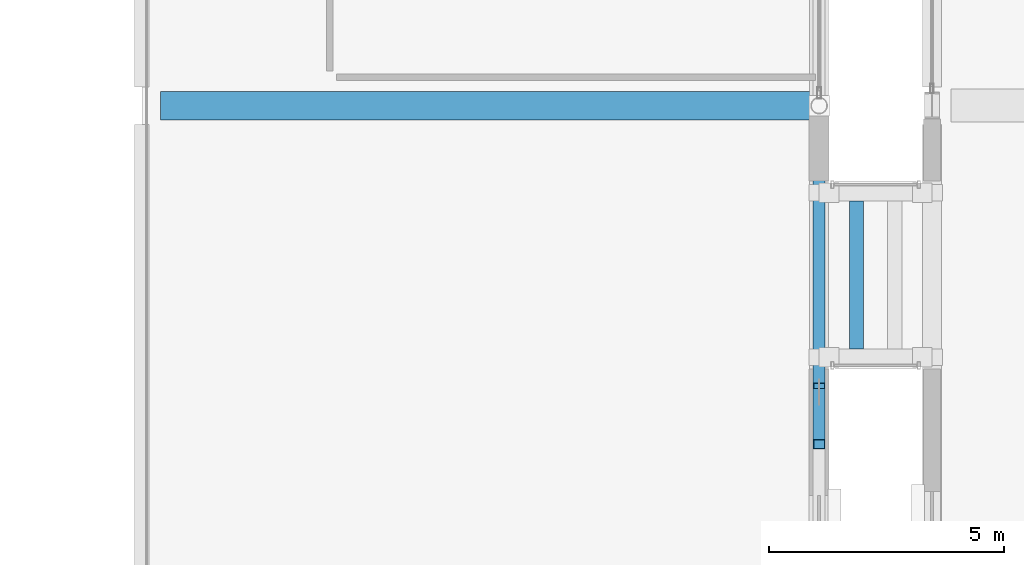
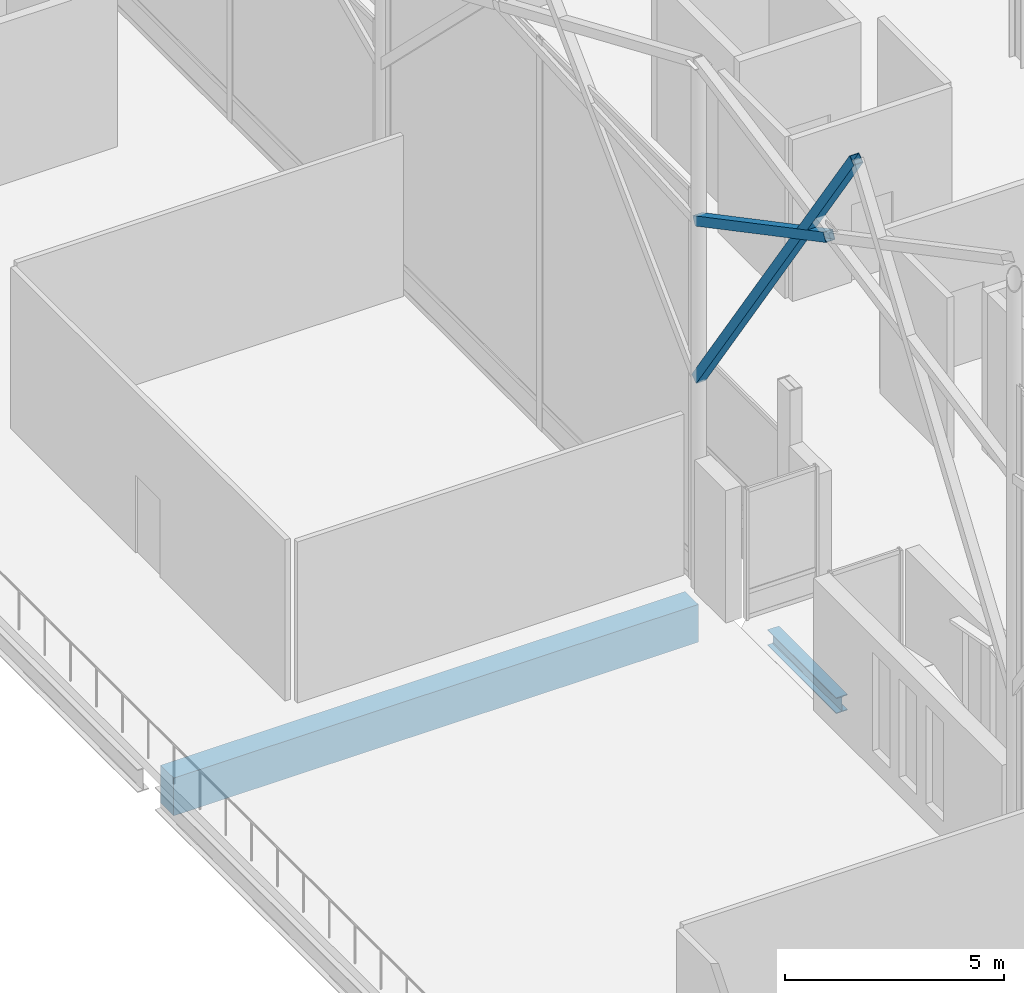
# One storey, part 74 of 220: 2 beams, 2 members.
"""IFC4 building model written with IfcOpenShell, lengths in metres."""

from ifc_helpers import new_model, si_unit, direction, frame, origin, origin_2d, place, context, subcontext, project, spatial, rectangle, hollow_rectangle, i_section, extrude, material, material_profile, profile_set, type_object, element, save


model = new_model("IFC4")

# Units and contexts
model_context = context("Model", 3, precision=1e-05, world=origin(), true_north=direction((0.0, 1.0)))
body_context = subcontext(model_context, "Body", "Model", "MODEL_VIEW")
ifc_project = project(units=[si_unit("LENGTHUNIT", "METRE"), si_unit("AREAUNIT", "SQUARE_METRE"), si_unit("VOLUMEUNIT", "CUBIC_METRE"), si_unit("PLANEANGLEUNIT", "RADIAN"), si_unit("MASSUNIT", "GRAM", prefix="KILO")], contexts=[model_context])

# Site, building, storey
site_placement = place(None, origin())
site = spatial("IfcSite", under=ifc_project, at=site_placement, CompositionType="ELEMENT")
building_placement = place(site_placement, origin())
building = spatial("IfcBuilding", under=site, at=building_placement, Name="Cendralis Lancet Convention Centre", CompositionType="ELEMENT")
storey_placement = place(building_placement, frame((0.0, 0.0, 5.39990234375)))
storey = spatial("IfcBuildingStorey", under=building, at=storey_placement, Name="L01", CompositionType="ELEMENT", Elevation=5.39990234375)

# Beams
ifc_material_1 = material(Name="Concrete G40 (C40/50)", Category="concrete")
ifc_material_profile_1 = material_profile(ifc_material_1, rectangle(XDim=0.60009765625, YDim=1.050048828125, at=origin_2d()), Name="RCB 600x1050")
ifc_profile_set_1 = profile_set([ifc_material_profile_1], Name="Concrete G40 (C40/50)")
beam_type_1 = type_object("IfcBeamType", Name="STR-BM-BG03", PredefinedType="BEAM", material=ifc_profile_set_1)
beam_1_placement = place(storey_placement, frame((108.39990234375, 108.0, -0.804931640625), z_axis=(1.0, 0.0, 0.0), x_axis=(0.0, 1.0, 0.0)))
element("IfcBeam", 1, at=beam_1_placement, inside=storey, type_object=beam_type_1, Name="L01 Beam BG03 #1298", PredefinedType="BEAM", context=body_context, shape_type="SweptSolid", body=[
    extrude(rectangle(XDim=0.60009765625, YDim=1.050048828125, at=origin_2d()), origin(), (0.0, 0.0, 1.0), 13.822265625),
])
ifc_material_2 = material(Name="Steel S355", Category="steel")
ifc_material_profile_2 = material_profile(ifc_material_2, i_section(OverallWidth=0.300048828125, OverallDepth=0.43994140625, WebThickness=0.011474609375, FlangeThickness=0.02099609375, FilletRadius=0.027099609375, at=origin_2d()), Name="HEA 450")
ifc_profile_set_2 = profile_set([ifc_material_profile_2], Name="Steel S355")
beam_type_2 = type_object("IfcBeamType", Name="STR-BM-SG13", PredefinedType="BEAM", material=ifc_profile_set_2)
beam_2_placement = place(storey_placement, frame((123.19189453125, 102.830078125, -0.43994140625), z_axis=(0.0, 1.0, 0.0), x_axis=(-1.0, 0.0, 0.0)))
element("IfcBeam", 2, at=beam_2_placement, inside=storey, type_object=beam_type_2, Name="L01 Beam SG13 #1878", PredefinedType="BEAM", context=body_context, shape_type="SweptSolid", body=[
    extrude(i_section(OverallWidth=0.300048828125, OverallDepth=0.43994140625, WebThickness=0.011474609375, FlangeThickness=0.02099609375, FilletRadius=0.027099609375, at=origin_2d()), origin(), (0.0, 0.0, 1.0), 3.139892578125),
])

# Members
ifc_material_profile_3 = material_profile(ifc_material_2, hollow_rectangle(XDim=0.25, YDim=0.25, WallThickness=0.012451171875, at=origin_2d()), Name="SHS 250x250x12.5")
ifc_profile_set_3 = profile_set([ifc_material_profile_3], Name="Steel S355")
member_type = type_object("IfcMemberType", Name="STR-BR-GB01", PredefinedType="BRACE", material=ifc_profile_set_3)
member_1_placement = place(storey_placement, frame((122.39990234375, 108.0, 5.800048828125), z_axis=(0.0, -0.567480667836, 0.823386720583), x_axis=(1.0, 0.0, 0.0)))
element("IfcMember", 3, at=member_1_placement, inside=storey, type_object=member_type, Name="Exhibition Gable Gothic Ogival Tracery Rib GBR1 #047", PredefinedType="BRACE", context=body_context, shape_type="SweptSolid", body=[
    extrude(hollow_rectangle(XDim=0.25, YDim=0.25, WallThickness=0.012451171875, at=origin_2d()), origin(), (0.0, 0.0, 1.0), 12.6875),
])
member_2_placement = place(storey_placement, frame((122.39990234375, 108.0, 10.203125), z_axis=(0.0, -0.883854841762, 0.467761283877), x_axis=(1.0, 0.0, 0.0)))
element("IfcMember", 4, at=member_2_placement, inside=storey, type_object=member_type, Name="Exhibition Gable Split X-Brace Rib GBR1 #049", PredefinedType="BRACE", context=body_context, shape_type="SweptSolid", body=[
    extrude(hollow_rectangle(XDim=0.25, YDim=0.25, WallThickness=0.012451171875, at=origin_2d()), origin(), (0.0, 0.0, 1.0), 6.742919921875),
])

save(model, "model.ifc")
